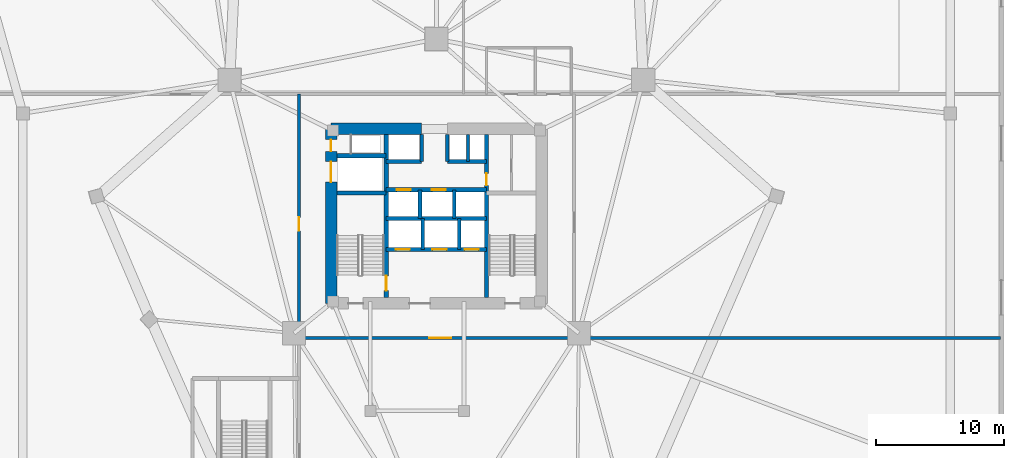
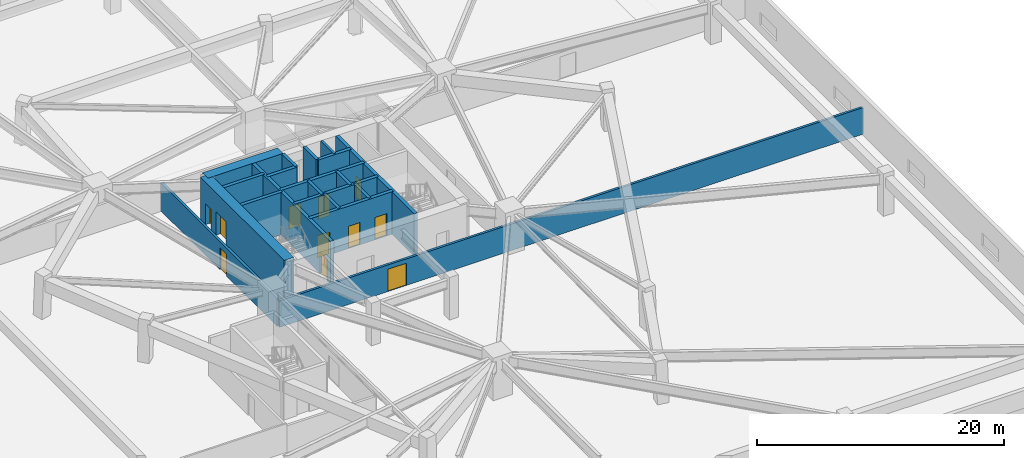
# One storey, part 5 of 10: 20 walls, 11 doors, 11 openings.
"""IFC4 building model written with IfcOpenShell, lengths in metres."""

import ifcopenshell
import ifcopenshell.guid

model = None  # the IFC model being written
_history = None  # IfcOwnerHistory: only IFC2X3 demands one
_inside = {}  # id of a spatial element -> (the spatial element, [elements in it])
_under = {}  # id of a project, library or spatial element -> (it, [spatial elements below it])
_declared = {}  # id of a project -> (the project, [libraries it declares])
_typed = {}  # id of a type object -> (the type object, [elements of that type])
_made_of = {}  # id of a material, layer set ... -> (it, [elements and type objects made of it])


def new_model(schema):
    """Start an empty IFC model of exactly this schema.

    Asked for "IFC4X3", IfcOpenShell would pick the latest addendum, in which some entities
    have other attributes; the version numbers below select the first issue.
    IFC2X3 requires an IfcOwnerHistory on every rooted entity: one is made here for all.
    """
    global model, _history
    if schema == "IFC4X3":
        model = ifcopenshell.file(schema_version=(4, 3, 0, 0))
    else:
        model = ifcopenshell.file(schema=schema)
    _inside.clear()
    _under.clear()
    _declared.clear()
    _typed.clear()
    _made_of.clear()
    _history = None
    if model.schema == "IFC2X3":
        org = make("IfcOrganization", Name="unknown")
        user = make(
            "IfcPersonAndOrganization",
            ThePerson=make("IfcPerson", FamilyName="unknown"),
            TheOrganization=org,
        )
        app = make(
            "IfcApplication",
            ApplicationDeveloper=org,
            Version="unknown",
            ApplicationFullName="unknown",
            ApplicationIdentifier="unknown",
        )
        _history = make(
            "IfcOwnerHistory",
            OwningUser=user,
            OwningApplication=app,
            ChangeAction="ADDED",
            CreationDate=0,
        )
    return model


def make(cls, **values):
    """One entity of the class cls with the attributes given. An attribute that is None is left unset."""
    return model.create_entity(
        cls, **{name: value for name, value in values.items() if value is not None}
    )


def rooted(cls, **values):
    """An entity with a GlobalId (a new one), such as an element, a storey or a relation."""
    return make(cls, GlobalId=ifcopenshell.guid.new(), OwnerHistory=_history, **values)


def si_unit(unit_type, name, prefix=None):
    """IfcSIUnit, for example si_unit("LENGTHUNIT", "METRE", prefix="MILLI")."""
    return make("IfcSIUnit", UnitType=unit_type, Prefix=prefix, Name=name)


def assignment(units):
    """IfcUnitAssignment: the units of a project."""
    return None if units is None else make("IfcUnitAssignment", Units=units)


def point(xyz):
    """IfcCartesianPoint."""
    return None if xyz is None else make("IfcCartesianPoint", Coordinates=xyz)


def direction(xyz):
    """IfcDirection."""
    return None if xyz is None else make("IfcDirection", DirectionRatios=xyz)


def frame(location, z_axis=None, x_axis=None):
    """IfcAxis2Placement3D, a coordinate frame: its origin and axes. An axis left out is left unset."""
    return make(
        "IfcAxis2Placement3D",
        Location=point(location),
        Axis=direction(z_axis),
        RefDirection=direction(x_axis),
    )


def frame_2d(location, x_axis=None):
    """IfcAxis2Placement2D, a coordinate frame in the plane: its origin and x axis."""
    return make(
        "IfcAxis2Placement2D", Location=point(location), RefDirection=direction(x_axis)
    )


def origin():
    """The frame at (0, 0, 0) with its axes left unset."""
    return frame((0.0, 0.0, 0.0))


def place(relative_to, where):
    """IfcLocalPlacement: puts the frame where relative to a parent placement (None: the world)."""
    return make(
        "IfcLocalPlacement", PlacementRelTo=relative_to, RelativePlacement=where
    )


def context(
    kind, dimensions, precision=None, world=None, true_north=None, identifier=None
):
    """IfcGeometricRepresentationContext, for example the 3D "Model" context."""
    return make(
        "IfcGeometricRepresentationContext",
        ContextIdentifier=identifier,
        ContextType=kind,
        CoordinateSpaceDimension=dimensions,
        Precision=precision,
        WorldCoordinateSystem=world,
        TrueNorth=true_north,
    )


def subcontext(parent, identifier, kind, view, scale=None):
    """IfcGeometricRepresentationSubContext, for example "Body" below "Model"."""
    return make(
        "IfcGeometricRepresentationSubContext",
        ContextIdentifier=identifier,
        ContextType=kind,
        ParentContext=parent,
        TargetScale=scale,
        TargetView=view,
    )


def project(units=None, contexts=None):
    """IfcProject with its units and contexts."""
    return rooted(
        "IfcProject",
        Name="project",
        RepresentationContexts=contexts,
        UnitsInContext=assignment(units),
    )


def spatial(cls, under=None, at=None, **own):
    """A site, building, storey or space (cls), placed at a placement, below another one or the project."""
    s = rooted(cls, ObjectPlacement=at, **own)
    if under is not None:
        _under.setdefault(under.id(), (under, []))[1].append(s)
    return s


def profile(cls, at=None, kind="AREA", **sizes):
    """A parametric profile (cls). Its sizes go by their IFC names, for example OverallWidth=200.0."""
    return make(cls, ProfileType=kind, Position=at, **sizes)


def rectangle(**sizes):
    """IfcRectangleProfileDef."""
    return profile("IfcRectangleProfileDef", **sizes)


def extrude(swept, where, along, depth):
    """IfcExtrudedAreaSolid: the profile swept, set in the frame where, extruded along a direction by depth."""
    return make(
        "IfcExtrudedAreaSolid",
        SweptArea=swept,
        Position=where,
        ExtrudedDirection=direction(along),
        Depth=depth,
    )


def shape(context_of_items, identifier, shape_type, items):
    """IfcShapeRepresentation: the items that make up one representation, for example the "Body"."""
    return make(
        "IfcShapeRepresentation",
        ContextOfItems=context_of_items,
        RepresentationIdentifier=identifier,
        RepresentationType=shape_type,
        Items=items,
    )


def material(Name=None, Category=None):
    """IfcMaterial."""
    return make("IfcMaterial", Name=Name, Category=Category)


def layer(
    of_material, thickness, ventilated=None, Name=None, Category=None, Priority=None
):
    """IfcMaterialLayer: one layer of a wall or slab, of a material (None: an air gap)."""
    return make(
        "IfcMaterialLayer",
        Material=of_material,
        LayerThickness=thickness,
        IsVentilated=ventilated,
        Name=Name,
        Category=Category,
        Priority=Priority,
    )


def layer_set(layers, Name=None):
    """IfcMaterialLayerSet."""
    return make("IfcMaterialLayerSet", MaterialLayers=layers, LayerSetName=Name)


def made_of(thing, what):
    """Note that an element or type object is made of a material, layer set ...; save() writes the relation."""
    if what is not None:
        _made_of.setdefault(what.id(), (what, []))[1].append(thing)
    return thing


def type_object(cls, material=None, **own):
    """A type object (cls), such as IfcWallType, which elements share."""
    return made_of(rooted(cls, **own), material)


def element(
    cls,
    number,
    at=None,
    inside=None,
    cuts=None,
    type_object=None,
    material=None,
    context=None,
    identifier="Body",
    shape_type=None,
    held_by="IfcProductDefinitionShape",
    body=None,
    shapes=None,
    **own,
):
    """One element of the class cls, such as IfcWall. Its Tag is "e" and its number.

    at: its placement. inside: the storey or other place that contains it. cuts: it is an
    opening in that element (IfcRelVoidsElement). A single representation is given by context,
    identifier, shape_type and body (its items); several are given by shapes. held_by: the class
    of the entity that holds the representations. save() writes the other relations.
    """
    e = rooted(cls, Tag="e%d" % number, ObjectPlacement=at, **own)
    if body is not None:
        shapes = [shape(context, identifier, shape_type, body)]
    if shapes is not None:
        e.Representation = make(held_by, Representations=shapes)
    if inside is not None:
        _inside.setdefault(inside.id(), (inside, []))[1].append(e)
    if cuts is not None:
        rooted(
            "IfcRelVoidsElement", RelatingBuildingElement=cuts, RelatedOpeningElement=e
        )
    if type_object is not None:
        _typed.setdefault(type_object.id(), (type_object, []))[1].append(e)
    return made_of(e, material)


def fill(opening, filler):
    """IfcRelFillsElement: the door or window that sits in an opening."""
    return rooted(
        "IfcRelFillsElement",
        RelatingOpeningElement=opening,
        RelatedBuildingElement=filler,
    )


def aggregate(whole, parts):
    """IfcRelAggregates: a whole, such as a stair, and the parts it consists of."""
    return rooted("IfcRelAggregates", RelatingObject=whole, RelatedObjects=parts)


def save(model, path):
    """Write the relations noted so far, then the file.

    IfcRelAggregates (storeys below a building ...), IfcRelContainedInSpatialStructure (elements
    in a storey), IfcRelDefinesByType, IfcRelAssociatesMaterial and IfcRelDeclares: one each for
    every whole, place, type object, material and project.
    """
    for whole, parts in _under.values():
        aggregate(whole, parts)
    for where, things in _inside.values():
        rooted(
            "IfcRelContainedInSpatialStructure",
            RelatedElements=things,
            RelatingStructure=where,
        )
    for kind, things in _typed.values():
        rooted("IfcRelDefinesByType", RelatedObjects=things, RelatingType=kind)
    for what, things in _made_of.values():
        rooted("IfcRelAssociatesMaterial", RelatedObjects=things, RelatingMaterial=what)
    for by, libraries in _declared.values():
        rooted("IfcRelDeclares", RelatingContext=by, RelatedDefinitions=libraries)
    model.write(path)


model = new_model("IFC4")

# Units and contexts
model_context = context("Model", 3, precision=1e-05, world=origin(), true_north=direction((0.0, 1.0)))
body_context = subcontext(model_context, "Body", "Model", "MODEL_VIEW")
ifc_project = project(units=[si_unit("LENGTHUNIT", "METRE"), si_unit("AREAUNIT", "SQUARE_METRE"), si_unit("VOLUMEUNIT", "CUBIC_METRE"), si_unit("PLANEANGLEUNIT", "RADIAN"), si_unit("MASSUNIT", "GRAM", prefix="KILO")], contexts=[model_context])

# Site, building, storey
site_placement = place(None, origin())
site = spatial("IfcSite", under=ifc_project, at=site_placement, CompositionType="ELEMENT")
building_placement = place(site_placement, origin())
building = spatial("IfcBuilding", under=site, at=building_placement, Name="Talyreon Biosciences Tower", CompositionType="ELEMENT")
storey_placement = place(building_placement, frame((0.0, 0.0, 18.60009765625)))
storey = spatial("IfcBuildingStorey", under=building, at=storey_placement, Name="L04", CompositionType="ELEMENT", Elevation=18.60009765625)

# Walls
ifc_material_1 = material(Name="Concrete C50/60", Category="concrete")
ifc_layer_1 = layer(ifc_material_1, 0.219970703125)
ifc_layer_set_1 = layer_set([ifc_layer_1], Name="Concrete C50/60")
wall_type_1 = type_object("IfcWallType", Name="CoreShearWall_220", PredefinedType="SHEAR", material=ifc_layer_set_1)
wall_1_placement = place(storey_placement, frame((68.4599609375, 72.25, 0.0), z_axis=(0.0, 0.0, 1.0), x_axis=(0.0, 1.0, 0.0)))
element("IfcWall", 1, at=wall_1_placement, inside=storey, type_object=wall_type_1, Name="L04 Core Shaft Wall SWPHD", PredefinedType="SHEAR", context=body_context, shape_type="SweptSolid", body=[
    extrude(rectangle(XDim=2.10009765625, YDim=0.219970703125, at=frame_2d((1.050048828125, 0.0))), origin(), (0.0, 0.0, 1.0), 4.199951171875),
])
ifc_layer_2 = layer(ifc_material_1, 0.280029296875)
ifc_layer_set_2 = layer_set([ifc_layer_2], Name="Concrete C50/60")
wall_type_2 = type_object("IfcWallType", Name="CoreShearWall_280", PredefinedType="SHEAR", material=ifc_layer_set_2)
wall_2_placement = place(storey_placement, frame((64.919921875, 65.39990234375, 0.0), z_axis=(0.0, 0.0, 1.0), x_axis=(0.0, 1.0, 0.0)))
element("IfcWall", 2, at=wall_2_placement, inside=storey, type_object=wall_type_2, Name="L04 Core Shaft Wall SWSHD1", PredefinedType="SHEAR", context=body_context, shape_type="SweptSolid", body=[
    extrude(rectangle(XDim=2.400146484375, YDim=0.280029296875, at=frame_2d((1.2001953125, 0.0))), origin(), (0.0, 0.0, 1.0), 4.199951171875),
])
for number, where, z_axis, x_axis, name in (
    (3, (64.85009765625, 72.25, 0.0), (0.0, 0.0, 1.0), (0.0, 1.0, 0.0), "L04 Core Shaft Wall SWTHW"),
    (4, (66.85009765625, 72.25, 0.0), (0.0, 0.0, 1.0), (0.0, 1.0, 0.0), "L04 Core Shaft Wall SWTHE"),
):
    element("IfcWall", number, at=place(storey_placement, frame(where, z_axis=z_axis, x_axis=x_axis)), inside=storey, type_object=wall_type_2, Name=name, PredefinedType="SHEAR", context=body_context, shape_type="SweptSolid", body=[
        extrude(rectangle(XDim=2.10009765625, YDim=0.280029296875, at=frame_2d((1.050048828125, 0.0))), origin(), (0.0, 0.0, 1.0), 4.199951171875),
    ])
wall_3_placement = place(storey_placement, frame((67.780029296875, 65.39990234375, 0.0), z_axis=(0.0, 0.0, 1.0), x_axis=(0.0, 1.0, 0.0)))
element("IfcWall", 5, at=wall_3_placement, inside=storey, type_object=wall_type_2, Name="L04 Core Shaft Wall SWSHD2", PredefinedType="SHEAR", context=body_context, shape_type="SweptSolid", body=[
    extrude(rectangle(XDim=2.400146484375, YDim=0.280029296875, at=frame_2d((1.2001953125, 0.0))), origin(), (0.0, 0.0, 1.0), 4.199951171875),
])
for number, where, z_axis, x_axis, name in (
    (6, (64.719970703125, 67.800048828125, 0.0), (0.0, 0.0, 1.0), (0.0, 1.0, 0.0), "L04 Core Shaft Wall SWPLD"),
    (7, (67.3798828125, 67.800048828125, 0.0), (0.0, 0.0, 1.0), (0.0, 1.0, 0.0), "L04 Core Shaft Wall SWPMD"),
):
    element("IfcWall", number, at=place(storey_placement, frame(where, z_axis=z_axis, x_axis=x_axis)), inside=storey, type_object=wall_type_2, Name=name, PredefinedType="SHEAR", context=body_context, shape_type="SweptSolid", body=[
        extrude(rectangle(XDim=2.25, YDim=0.280029296875, at=frame_2d((1.125, 0.0))), origin(), (0.0, 0.0, 1.0), 4.199951171875),
    ])

# Wall, opening, door
ifc_layer_3 = layer(ifc_material_1, 0.320068359375)
ifc_layer_set_3 = layer_set([ifc_layer_3], Name="Concrete C50/60")
wall_type_3 = type_object("IfcWallType", Name="CoreShearWall_320", PredefinedType="SHEAR", material=ifc_layer_set_3)
wall_4_placement = place(storey_placement, frame((62.090087890625, 61.64990234375, 0.0), z_axis=(0.0, 0.0, 1.0), x_axis=(0.0, 1.0, 0.0)))
wall_4 = element("IfcWall", 8, at=wall_4_placement, inside=storey, type_object=wall_type_3, Name="L04 Core Shaft Wall SW1E", PredefinedType="SHEAR", context=body_context, shape_type="SweptSolid", body=[
    extrude(rectangle(XDim=12.7001953125, YDim=0.320068359375, at=frame_2d((6.35009765625, 0.0))), origin(), (0.0, 0.0, 1.0), 4.199951171875),
])
opening_1_placement = place(wall_4_placement, frame((0.550048828125, 0.0, 0.0)))
opening_1 = element("IfcOpeningElement", 9, at=opening_1_placement, cuts=wall_4, Name="Opening DR-L04-FF-ST1", PredefinedType="OPENING", context=body_context, shape_type="SweptSolid", body=[
    extrude(rectangle(XDim=1.14990234375, YDim=2.14990234375, at=frame_2d((0.574951171875, 1.074951171875))), frame((0.0, 0.169921875, 0.0), z_axis=(0.0, -1.0, 0.0), x_axis=(1.0, 0.0, 0.0)), (0.0, 0.0, 1.0), 0.340087890625),
])
ifc_material_2 = material(Name="Painted steel fire door", Category="steel")
door_type_1 = type_object("IfcDoorType", Name="StairShaftFireDoor_1150x2150", OperationType="NOTDEFINED", PredefinedType="DOOR", material=ifc_material_2)
door_1_placement = place(opening_1_placement, origin())
door_1 = element("IfcDoor", 10, at=door_1_placement, inside=storey, type_object=door_type_1, Name="L04 Core Door DR-L04-FF-ST1", OperationType="SINGLE_SWING_LEFT", OverallHeight=2.14990234375, OverallWidth=1.14990234375, PredefinedType="DOOR", context=body_context, shape_type="SweptSolid", body=[
    extrude(rectangle(XDim=1.14990234375, YDim=2.14990234375, at=frame_2d((0.574951171875, 1.074951171875))), frame((0.0, 0.02490234375, 0.0), z_axis=(0.0, -1.0, 0.0), x_axis=(1.0, 0.0, 0.0)), (0.0, 0.0, 1.0), 0.050048828125),
])
fill(opening_1, door_1)

wall_5_placement = place(storey_placement, frame((69.909912109375, 61.64990234375, 0.0), z_axis=(0.0, 0.0, 1.0), x_axis=(0.0, 1.0, 0.0)))
wall_5 = element("IfcWall", 11, at=wall_5_placement, inside=storey, type_object=wall_type_3, Name="L04 Core Shaft Wall SW2W", PredefinedType="SHEAR", context=body_context, shape_type="SweptSolid", body=[
    extrude(rectangle(XDim=12.7001953125, YDim=0.320068359375, at=frame_2d((6.35009765625, 0.0))), origin(), (0.0, 0.0, 1.0), 4.199951171875),
])
opening_2_placement = place(wall_5_placement, frame((8.75, 0.0, 0.0)))
opening_2 = element("IfcOpeningElement", 12, at=opening_2_placement, cuts=wall_5, Name="Opening DR-L04-CSRV", PredefinedType="OPENING", context=body_context, shape_type="SweptSolid", body=[
    extrude(rectangle(XDim=0.919921875, YDim=2.050048828125, at=frame_2d((0.4599609375, 1.02490234375))), frame((0.0, 0.169921875, 0.0), z_axis=(0.0, -1.0, 0.0), x_axis=(1.0, 0.0, 0.0)), (0.0, 0.0, 1.0), 0.340087890625),
])
ifc_material_3 = material(Name="Painted steel fire-rated riser door", Category="steel")
door_type_2 = type_object("IfcDoorType", Name="RiserPlantAccessDoor_920x2050", OperationType="NOTDEFINED", PredefinedType="DOOR", material=ifc_material_3)
door_2_placement = place(opening_2_placement, origin())
door_2 = element("IfcDoor", 13, at=door_2_placement, inside=storey, type_object=door_type_2, Name="L04 Core Door DR-L04-CSRV", OperationType="SINGLE_SWING_RIGHT", OverallHeight=2.050048828125, OverallWidth=0.919921875, PredefinedType="DOOR", context=body_context, shape_type="SweptSolid", body=[
    extrude(rectangle(XDim=0.919921875, YDim=2.050048828125, at=frame_2d((0.4599609375, 1.02490234375))), frame((0.0, 0.02490234375, 0.0), z_axis=(0.0, -1.0, 0.0), x_axis=(1.0, 0.0, 0.0)), (0.0, 0.0, 1.0), 0.050048828125),
])
fill(opening_2, door_2)

# Walls
for number, where, z_axis, x_axis, name in (
    (14, (58.25, 69.81005859375, 0.0), (0.0, 0.0, 1.0), (1.0, 0.0, 0.0), "L04 Core Shaft Wall SW1N"),
    (15, (58.25, 72.699951171875, 0.0), (0.0, 0.0, 1.0), (1.0, 0.0, 0.0), "L04 Core Shaft Wall SWGLN"),
):
    element("IfcWall", number, at=place(storey_placement, frame(where, z_axis=z_axis, x_axis=x_axis)), inside=storey, type_object=wall_type_3, Name=name, PredefinedType="SHEAR", context=body_context, shape_type="SweptSolid", body=[
        extrude(rectangle(XDim=3.840087890625, YDim=0.320068359375, at=frame_2d((1.919921875, 0.0))), origin(), (0.0, 0.0, 1.0), 4.199951171875),
    ])
wall_6_placement = place(storey_placement, frame((62.090087890625, 67.800048828125, 0.0), z_axis=(0.0, 0.0, 1.0), x_axis=(1.0, 0.0, 0.0)))
element("IfcWall", 16, at=wall_6_placement, inside=storey, type_object=wall_type_3, Name="L04 Core Shaft Wall SWSHM", PredefinedType="SHEAR", context=body_context, shape_type="SweptSolid", body=[
    extrude(rectangle(XDim=7.81982421875, YDim=0.320068359375, at=frame_2d((3.909912109375, 0.0))), origin(), (0.0, 0.0, 1.0), 4.199951171875),
])

# Wall, openings, doors
wall_7_placement = place(storey_placement, frame((62.090087890625, 70.050048828125, 0.0), z_axis=(0.0, 0.0, 1.0), x_axis=(1.0, 0.0, 0.0)))
wall_7 = element("IfcWall", 17, at=wall_7_placement, inside=storey, type_object=wall_type_3, Name="L04 Core Shaft Wall SWSPN", PredefinedType="SHEAR", context=body_context, shape_type="SweptSolid", body=[
    extrude(rectangle(XDim=7.81982421875, YDim=0.320068359375, at=frame_2d((3.909912109375, 0.0))), origin(), (0.0, 0.0, 1.0), 4.199951171875),
])
opening_3_placement = place(wall_7_placement, frame((0.800048828125, 0.0, 0.0)))
opening_3 = element("IfcOpeningElement", 18, at=opening_3_placement, cuts=wall_7, Name="Opening LD-L04-PL1", PredefinedType="OPENING", context=body_context, shape_type="SweptSolid", body=[
    extrude(rectangle(XDim=1.10009765625, YDim=2.199951171875, at=frame_2d((0.550048828125, 1.10009765625))), frame((0.0, 0.169921875, 0.0), z_axis=(0.0, -1.0, 0.0), x_axis=(1.0, 0.0, 0.0)), (0.0, 0.0, 1.0), 0.340087890625),
])
opening_4_placement = place(wall_7_placement, frame((3.550048828125, 0.0, 0.0)))
opening_4 = element("IfcOpeningElement", 19, at=opening_4_placement, cuts=wall_7, Name="Opening LD-L04-PL2", PredefinedType="OPENING", context=body_context, shape_type="SweptSolid", body=[
    extrude(rectangle(XDim=1.10009765625, YDim=2.199951171875, at=frame_2d((0.550048828125, 1.10009765625))), frame((0.0, 0.169921875, 0.0), z_axis=(0.0, -1.0, 0.0), x_axis=(1.0, 0.0, 0.0)), (0.0, 0.0, 1.0), 0.340087890625),
])
ifc_material_4 = material(Name="Brushed stainless-steel lift landing door", Category="steel")
door_type_3 = type_object("IfcDoorType", Name="LiftSlidingLandingDoor_1100x2200", OperationType="SLIDING_TO_LEFT", PredefinedType="DOOR", material=ifc_material_4)
door_3_placement = place(opening_3_placement, origin())
door_3 = element("IfcDoor", 20, at=door_3_placement, inside=storey, type_object=door_type_3, Name="L04 Core Door LD-L04-PL1", OperationType="SLIDING_TO_LEFT", OverallHeight=2.199951171875, OverallWidth=1.10009765625, PredefinedType="DOOR", context=body_context, shape_type="SweptSolid", body=[
    extrude(rectangle(XDim=1.10009765625, YDim=2.199951171875, at=frame_2d((0.550048828125, 1.10009765625))), frame((0.0, 0.02490234375, 0.0), z_axis=(0.0, -1.0, 0.0), x_axis=(1.0, 0.0, 0.0)), (0.0, 0.0, 1.0), 0.050048828125),
])
fill(opening_3, door_3)
door_4_placement = place(opening_4_placement, origin())
door_4 = element("IfcDoor", 21, at=door_4_placement, inside=storey, type_object=door_type_3, Name="L04 Core Door LD-L04-PL2", OperationType="SLIDING_TO_LEFT", OverallHeight=2.199951171875, OverallWidth=1.10009765625, PredefinedType="DOOR", context=body_context, shape_type="SweptSolid", body=[
    extrude(rectangle(XDim=1.10009765625, YDim=2.199951171875, at=frame_2d((0.550048828125, 1.10009765625))), frame((0.0, 0.02490234375, 0.0), z_axis=(0.0, -1.0, 0.0), x_axis=(1.0, 0.0, 0.0)), (0.0, 0.0, 1.0), 0.050048828125),
])
fill(opening_4, door_4)

# Walls
wall_8_placement = place(storey_placement, frame((62.090087890625, 72.25, 0.0), z_axis=(0.0, 0.0, 1.0), x_axis=(1.0, 0.0, 0.0)))
element("IfcWall", 22, at=wall_8_placement, inside=storey, type_object=wall_type_3, Name="L04 Core Shaft Wall SWNPW", PredefinedType="SHEAR", context=body_context, shape_type="SweptSolid", body=[
    extrude(rectangle(XDim=2.760009765625, YDim=0.320068359375, at=frame_2d((1.3798828125, 0.0))), origin(), (0.0, 0.0, 1.0), 4.199951171875),
])
wall_9_placement = place(storey_placement, frame((66.85009765625, 72.25, 0.0), z_axis=(0.0, 0.0, 1.0), x_axis=(1.0, 0.0, 0.0)))
element("IfcWall", 23, at=wall_9_placement, inside=storey, type_object=wall_type_3, Name="L04 Core Shaft Wall SWNPE", PredefinedType="SHEAR", context=body_context, shape_type="SweptSolid", body=[
    extrude(rectangle(XDim=3.059814453125, YDim=0.320068359375, at=frame_2d((1.52978515625, 0.0))), origin(), (0.0, 0.0, 1.0), 4.199951171875),
])

# Wall, openings, doors
wall_10_placement = place(storey_placement, frame((62.090087890625, 65.39990234375, 0.0), z_axis=(0.0, 0.0, 1.0), x_axis=(1.0, 0.0, 0.0)))
wall_10 = element("IfcWall", 24, at=wall_10_placement, inside=storey, type_object=wall_type_3, Name="L04 Core Shaft Wall SWFFN", PredefinedType="SHEAR", context=body_context, shape_type="SweptSolid", body=[
    extrude(rectangle(XDim=7.81982421875, YDim=0.320068359375, at=frame_2d((3.909912109375, 0.0))), origin(), (0.0, 0.0, 1.0), 4.199951171875),
])
opening_5_placement = place(wall_10_placement, frame((6.10009765625, 0.0, 0.0)))
opening_5 = element("IfcOpeningElement", 25, at=opening_5_placement, cuts=wall_10, Name="Opening LD-L04-PK1", PredefinedType="OPENING", context=body_context, shape_type="SweptSolid", body=[
    extrude(rectangle(XDim=1.10009765625, YDim=2.199951171875, at=frame_2d((0.550048828125, 1.10009765625))), frame((0.0, 0.169921875, 0.0), z_axis=(0.0, -1.0, 0.0), x_axis=(1.0, 0.0, 0.0)), (0.0, 0.0, 1.0), 0.340087890625),
])
opening_6_placement = place(wall_10_placement, frame((0.75, 0.0, 0.0)))
opening_6 = element("IfcOpeningElement", 26, at=opening_6_placement, cuts=wall_10, Name="Opening LD-L04-FL1", PredefinedType="OPENING", context=body_context, shape_type="SweptSolid", body=[
    extrude(rectangle(XDim=1.10009765625, YDim=2.199951171875, at=frame_2d((0.550048828125, 1.10009765625))), frame((0.0, 0.169921875, 0.0), z_axis=(0.0, -1.0, 0.0), x_axis=(1.0, 0.0, 0.0)), (0.0, 0.0, 1.0), 0.340087890625),
])
opening_7_placement = place(wall_10_placement, frame((3.60009765625, 0.0, 0.0)))
opening_7 = element("IfcOpeningElement", 27, at=opening_7_placement, cuts=wall_10, Name="Opening LD-L04-FL2", PredefinedType="OPENING", context=body_context, shape_type="SweptSolid", body=[
    extrude(rectangle(XDim=1.10009765625, YDim=2.199951171875, at=frame_2d((0.550048828125, 1.10009765625))), frame((0.0, 0.169921875, 0.0), z_axis=(0.0, -1.0, 0.0), x_axis=(1.0, 0.0, 0.0)), (0.0, 0.0, 1.0), 0.340087890625),
])
door_5_placement = place(opening_5_placement, origin())
door_5 = element("IfcDoor", 28, at=door_5_placement, inside=storey, type_object=door_type_3, Name="L04 Core Door LD-L04-PK1", OperationType="SLIDING_TO_LEFT", OverallHeight=2.199951171875, OverallWidth=1.10009765625, PredefinedType="DOOR", context=body_context, shape_type="SweptSolid", body=[
    extrude(rectangle(XDim=1.10009765625, YDim=2.199951171875, at=frame_2d((0.550048828125, 1.10009765625))), frame((0.0, 0.02490234375, 0.0), z_axis=(0.0, -1.0, 0.0), x_axis=(1.0, 0.0, 0.0)), (0.0, 0.0, 1.0), 0.050048828125),
])
fill(opening_5, door_5)
door_6_placement = place(opening_6_placement, origin())
door_6 = element("IfcDoor", 29, at=door_6_placement, inside=storey, type_object=door_type_3, Name="L04 Core Door LD-L04-FL1", OperationType="SLIDING_TO_LEFT", OverallHeight=2.199951171875, OverallWidth=1.10009765625, PredefinedType="DOOR", context=body_context, shape_type="SweptSolid", body=[
    extrude(rectangle(XDim=1.10009765625, YDim=2.199951171875, at=frame_2d((0.550048828125, 1.10009765625))), frame((0.0, 0.02490234375, 0.0), z_axis=(0.0, -1.0, 0.0), x_axis=(1.0, 0.0, 0.0)), (0.0, 0.0, 1.0), 0.050048828125),
])
fill(opening_6, door_6)
door_7_placement = place(opening_7_placement, origin())
door_7 = element("IfcDoor", 30, at=door_7_placement, inside=storey, type_object=door_type_3, Name="L04 Core Door LD-L04-FL2", OperationType="SLIDING_TO_LEFT", OverallHeight=2.199951171875, OverallWidth=1.10009765625, PredefinedType="DOOR", context=body_context, shape_type="SweptSolid", body=[
    extrude(rectangle(XDim=1.10009765625, YDim=2.199951171875, at=frame_2d((0.550048828125, 1.10009765625))), frame((0.0, 0.02490234375, 0.0), z_axis=(0.0, -1.0, 0.0), x_axis=(1.0, 0.0, 0.0)), (0.0, 0.0, 1.0), 0.050048828125),
])
fill(opening_7, door_7)

# Wall
ifc_material_5 = material(Name="Concrete C60/75", Category="concrete")
ifc_layer_4 = layer(ifc_material_5, 0.89990234375)
ifc_layer_set_4 = layer_set([ifc_layer_4], Name="Concrete C60/75")
wall_type_4 = type_object("IfcWallType", Name="CoreShearWall_900", PredefinedType="SHEAR", material=ifc_layer_set_4)
wall_11_placement = place(storey_placement, frame((64.85009765625, 74.800048828125, 0.0), z_axis=(0.0, 0.0, 1.0), x_axis=(-1.0, 0.0, 0.0)))
element("IfcWall", 31, at=wall_11_placement, inside=storey, type_object=wall_type_4, Name="L04 Core Shear Wall NW", PredefinedType="SHEAR", context=body_context, shape_type="SweptSolid", body=[
    extrude(rectangle(XDim=7.050048828125, YDim=0.89990234375, at=frame_2d((3.52490234375, 0.0))), origin(), (0.0, 0.0, 1.0), 4.199951171875),
])

# Wall, openings, doors
wall_12_placement = place(storey_placement, frame((57.800048828125, 74.800048828125, 0.0), z_axis=(0.0, 0.0, 1.0), x_axis=(0.0, -1.0, 0.0)))
wall_12 = element("IfcWall", 32, at=wall_12_placement, inside=storey, type_object=wall_type_4, Name="L04 Core Shear Wall W", PredefinedType="SHEAR", context=body_context, shape_type="SweptSolid", body=[
    extrude(rectangle(XDim=13.60009765625, YDim=0.89990234375, at=frame_2d((6.800048828125, 0.0))), origin(), (0.0, 0.0, 1.0), 4.199951171875),
])
opening_8_placement = place(wall_12_placement, frame((0.85009765625, 0.0, 0.0)))
opening_8 = element("IfcOpeningElement", 33, at=opening_8_placement, cuts=wall_12, Name="Opening DR-L04-RSW", PredefinedType="OPENING", context=body_context, shape_type="SweptSolid", body=[
    extrude(rectangle(XDim=0.919921875, YDim=2.050048828125, at=frame_2d((0.4599609375, 1.02490234375))), frame((0.0, 0.4599609375, 0.0), z_axis=(0.0, -1.0, 0.0), x_axis=(1.0, 0.0, 0.0)), (0.0, 0.0, 1.0), 0.919921875),
])
opening_9_placement = place(wall_12_placement, frame((2.550048828125, 0.0, 0.0)))
opening_9 = element("IfcOpeningElement", 34, at=opening_9_placement, cuts=wall_12, Name="Opening LD-L04-GL1", PredefinedType="OPENING", context=body_context, shape_type="SweptSolid", body=[
    extrude(rectangle(XDim=1.60009765625, YDim=2.300048828125, at=frame_2d((0.800048828125, 1.14990234375))), frame((0.0, 0.4599609375, 0.0), z_axis=(0.0, -1.0, 0.0), x_axis=(1.0, 0.0, 0.0)), (0.0, 0.0, 1.0), 0.919921875),
])
ifc_material_6 = material(Name="Heavy-duty stainless-steel goods lift door", Category="steel")
door_type_4 = type_object("IfcDoorType", Name="GoodsLiftSlidingDoor_1600x2300", OperationType="DOUBLE_DOOR_SLIDING", PredefinedType="DOOR", material=ifc_material_6)
door_8_placement = place(opening_9_placement, origin())
door_8 = element("IfcDoor", 35, at=door_8_placement, inside=storey, type_object=door_type_4, Name="L04 Core Door LD-L04-GL1", OperationType="DOUBLE_DOOR_SLIDING", OverallHeight=2.300048828125, OverallWidth=1.60009765625, PredefinedType="DOOR", context=body_context, shape_type="SweptSolid", body=[
    extrude(rectangle(XDim=1.60009765625, YDim=2.300048828125, at=frame_2d((0.800048828125, 1.14990234375))), frame((0.0, 0.02490234375, 0.0), z_axis=(0.0, -1.0, 0.0), x_axis=(1.0, 0.0, 0.0)), (0.0, 0.0, 1.0), 0.050048828125),
])
fill(opening_9, door_8)
door_9_placement = place(opening_8_placement, origin())
door_9 = element("IfcDoor", 36, at=door_9_placement, inside=storey, type_object=door_type_2, Name="L04 Core Door DR-L04-RSW", OperationType="SINGLE_SWING_LEFT", OverallHeight=2.050048828125, OverallWidth=0.919921875, PredefinedType="DOOR", context=body_context, shape_type="SweptSolid", body=[
    extrude(rectangle(XDim=0.919921875, YDim=2.050048828125, at=frame_2d((0.4599609375, 1.02490234375))), frame((0.0, 0.02490234375, 0.0), z_axis=(0.0, -1.0, 0.0), x_axis=(1.0, 0.0, 0.0)), (0.0, 0.0, 1.0), 0.050048828125),
])
fill(opening_8, door_9)

# Wall, opening, door
ifc_material_7 = material(Name="Gypsum fireboard acoustic stud", Category="gypsum")
ifc_layer_5 = layer(ifc_material_7, 0.219970703125)
ifc_layer_set_5 = layer_set([ifc_layer_5], Name="Gypsum fireboard acoustic stud")
wall_type_5 = type_object("IfcWallType", Name="CorridorRatedPartition_220", PredefinedType="PARTITIONING", material=ifc_layer_set_5)
wall_13_placement = place(storey_placement, frame((55.300048828125, 58.5, 0.0), z_axis=(0.0, 0.0, 1.0), x_axis=(1.0, 0.0, 0.0)))
wall_13 = element("IfcWall", 37, at=wall_13_placement, inside=storey, type_object=wall_type_5, Name="L04 Interior Wall IW-L04-S", PredefinedType="PARTITIONING", context=body_context, shape_type="SweptSolid", body=[
    extrude(rectangle(XDim=54.614990234375, YDim=0.219970703125, at=frame_2d((27.3076171875, 0.0))), origin(), (0.0, 0.0, 1.0), 2.6298828125),
])
opening_10_placement = place(wall_13_placement, frame((10.14990234375, 0.0, 0.0)))
opening_10 = element("IfcOpeningElement", 38, at=opening_10_placement, cuts=wall_13, Name="Opening DR-L04-SW1", PredefinedType="OPENING", context=body_context, shape_type="SweptSolid", body=[
    extrude(rectangle(XDim=1.699951171875, YDim=2.199951171875, at=frame_2d((0.85009765625, 1.10009765625))), frame((0.0, 0.119873046875, 0.0), z_axis=(0.0, -1.0, 0.0), x_axis=(1.0, 0.0, 0.0)), (0.0, 0.0, 1.0), 0.239990234375),
])
ifc_material_8 = material(Name="Acoustic oak seminar double door", Category="wood")
door_type_5 = type_object("IfcDoorType", Name="MeetingSeminarDoubleDoor_1700x2200", OperationType="DOUBLE_DOOR_SINGLE_SWING", PredefinedType="DOOR", material=ifc_material_8)
door_10_placement = place(opening_10_placement, origin())
door_10 = element("IfcDoor", 39, at=door_10_placement, inside=storey, type_object=door_type_5, Name="L04 Interior Door DR-L04-SW1", OperationType="DOUBLE_DOOR_SINGLE_SWING", OverallHeight=2.199951171875, OverallWidth=1.699951171875, PredefinedType="DOOR", context=body_context, shape_type="SweptSolid", body=[
    extrude(rectangle(XDim=1.699951171875, YDim=2.199951171875, at=frame_2d((0.85009765625, 1.10009765625))), frame((0.0, 0.02490234375, 0.0), z_axis=(0.0, -1.0, 0.0), x_axis=(1.0, 0.0, 0.0)), (0.0, 0.0, 1.0), 0.050048828125),
])
fill(opening_10, door_10)

wall_14_placement = place(storey_placement, frame((55.300048828125, 58.6201171875, 0.0), z_axis=(0.0, 0.0, 1.0), x_axis=(0.0, 1.0, 0.0)))
wall_14 = element("IfcWall", 40, at=wall_14_placement, inside=storey, type_object=wall_type_5, Name="L04 Interior Wall IW-L04-W", PredefinedType="PARTITIONING", context=body_context, shape_type="SweptSolid", body=[
    extrude(rectangle(XDim=18.8798828125, YDim=0.219970703125, at=frame_2d((9.43994140625, 0.0))), origin(), (0.0, 0.0, 1.0), 2.77197265625),
])
opening_11_placement = place(wall_14_placement, frame((8.22509765625, 0.0, 0.0)))
opening_11 = element("IfcOpeningElement", 41, at=opening_11_placement, cuts=wall_14, Name="Opening DR-L04-WW", PredefinedType="OPENING", context=body_context, shape_type="SweptSolid", body=[
    extrude(rectangle(XDim=1.050048828125, YDim=2.14990234375, at=frame_2d((0.52490234375, 1.074951171875))), frame((0.0, 0.119873046875, 0.0), z_axis=(0.0, -1.0, 0.0), x_axis=(1.0, 0.0, 0.0)), (0.0, 0.0, 1.0), 0.239990234375),
])
ifc_material_9 = material(Name="Acoustic timber-core laboratory door", Category="wood")
door_type_6 = type_object("IfcDoorType", Name="DryLabSingleDoor_1050x2150", OperationType="NOTDEFINED", PredefinedType="DOOR", material=ifc_material_9)
door_11_placement = place(opening_11_placement, origin())
door_11 = element("IfcDoor", 42, at=door_11_placement, inside=storey, type_object=door_type_6, Name="L04 Interior Door DR-L04-WW", OperationType="SINGLE_SWING_RIGHT", OverallHeight=2.14990234375, OverallWidth=1.050048828125, PredefinedType="DOOR", context=body_context, shape_type="SweptSolid", body=[
    extrude(rectangle(XDim=1.050048828125, YDim=2.14990234375, at=frame_2d((0.52490234375, 1.074951171875))), frame((0.0, 0.02490234375, 0.0), z_axis=(0.0, -1.0, 0.0), x_axis=(1.0, 0.0, 0.0)), (0.0, 0.0, 1.0), 0.050048828125),
])
fill(opening_11, door_11)

save(model, "model.ifc")
